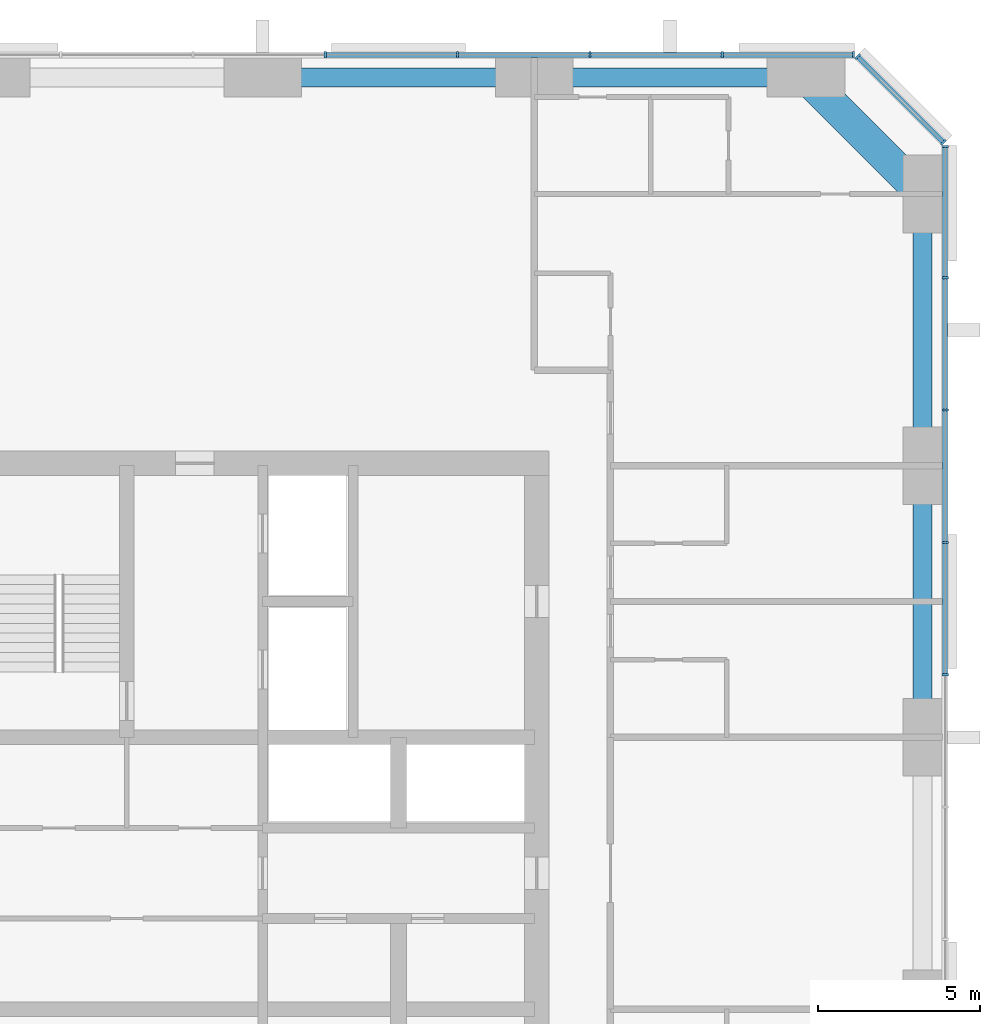
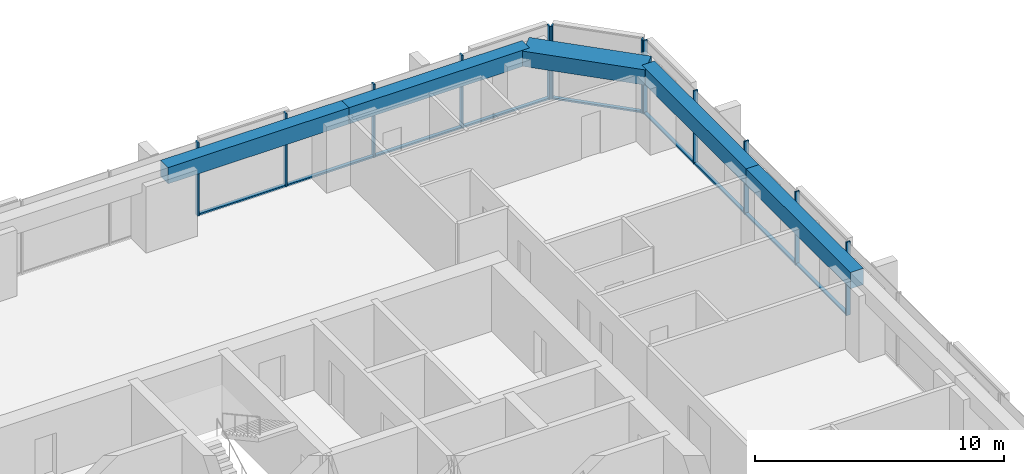
# One storey, part 6 of 13: 21 members, 5 beams, 3 elements without a shape of their own.
"""IFC4 building model written with IfcOpenShell, lengths in metres."""

from ifc_helpers import new_model, si_unit, direction, frame, origin, origin_2d, place, context, subcontext, project, spatial, rectangle, extrude, material, material_profile, profile_set, type_object, element, aggregate, save


model = new_model("IFC4")

# Units and contexts
model_context = context("Model", 3, precision=1e-05, world=origin(), true_north=direction((0.0, 1.0)))
body_context = subcontext(model_context, "Body", "Model", "MODEL_VIEW")
ifc_project = project(units=[si_unit("LENGTHUNIT", "METRE"), si_unit("AREAUNIT", "SQUARE_METRE"), si_unit("VOLUMEUNIT", "CUBIC_METRE"), si_unit("PLANEANGLEUNIT", "RADIAN"), si_unit("MASSUNIT", "GRAM", prefix="KILO")], contexts=[model_context])

# Site, building, storey
site_placement = place(None, origin())
site = spatial("IfcSite", under=ifc_project, at=site_placement, CompositionType="ELEMENT")
building_placement = place(site_placement, origin())
building = spatial("IfcBuilding", under=site, at=building_placement, Name="Dunama Terrace Hotel", CompositionType="ELEMENT")
storey_placement = place(building_placement, frame((0.0, 0.0, 169.800048828125)))
storey = spatial("IfcBuildingStorey", under=building, at=storey_placement, Name="L43", CompositionType="ELEMENT", Elevation=169.800048828125)

# Curtain wall, members
ifc_material_1 = material(Name="Aluminium curtain wall system", Category="aluminium")
curtain_wall_type = type_object("IfcCurtainWallType", Name="Unitised fritted glass wall CW-C", PredefinedType="NOTDEFINED", material=ifc_material_1)
curtain_wall_1_placement = place(storey_placement, origin())
curtain_wall_1 = element("IfcCurtainWall", 1, at=curtain_wall_1_placement, inside=storey, type_object=curtain_wall_type, Name="Unitised fritted glass wall CW-C L43", PredefinedType="NOTDEFINED")
ifc_material_2 = material(Name="Aluminium mullion", Category="aluminium")
ifc_material_profile_1 = material_profile(ifc_material_2, rectangle(XDim=0.070068359375, YDim=0.199951171875, at=origin_2d()), Name="CWC MULLION 70X200")
ifc_profile_set_1 = profile_set([ifc_material_profile_1], Name="Aluminium mullion")
member_type_1 = type_object("IfcMemberType", Name="CWC mullion 70x200", PredefinedType="MULLION", material=ifc_profile_set_1)
member_1_placement = place(storey_placement, frame((54.699951171875, 35.535888671875, 0.0), z_axis=(0.0, 0.0, 1.0), x_axis=(0.0, 1.0, 0.0)))
member_1 = element("IfcMember", 2, at=member_1_placement, type_object=member_type_1, Name="CWC mullion", PredefinedType="MULLION", context=body_context, shape_type="SweptSolid", body=[
    extrude(rectangle(XDim=0.070068359375, YDim=0.199951171875, at=origin_2d()), origin(), (0.0, 0.0, 1.0), 3.599853515625),
])
member_2_placement = place(storey_placement, frame((54.699951171875, 39.626953125, 0.0), z_axis=(0.0, 0.0, 1.0), x_axis=(0.0, 1.0, 0.0)))
member_2 = element("IfcMember", 3, at=member_2_placement, type_object=member_type_1, Name="CWC mullion", PredefinedType="MULLION", context=body_context, shape_type="SweptSolid", body=[
    extrude(rectangle(XDim=0.070068359375, YDim=0.199951171875, at=origin_2d()), origin(), (0.0, 0.0, 1.0), 3.599853515625),
])
member_3_placement = place(storey_placement, frame((54.699951171875, 43.718017578125, 0.0), z_axis=(0.0, 0.0, 1.0), x_axis=(0.0, 1.0, 0.0)))
member_3 = element("IfcMember", 4, at=member_3_placement, type_object=member_type_1, Name="CWC mullion", PredefinedType="MULLION", context=body_context, shape_type="SweptSolid", body=[
    extrude(rectangle(XDim=0.070068359375, YDim=0.199951171875, at=origin_2d()), origin(), (0.0, 0.0, 1.0), 3.599853515625),
])
member_4_placement = place(storey_placement, frame((54.699951171875, 47.80908203125, 0.0), z_axis=(0.0, 0.0, 1.0), x_axis=(0.0, 1.0, 0.0)))
member_4 = element("IfcMember", 5, at=member_4_placement, type_object=member_type_1, Name="CWC mullion", PredefinedType="MULLION", context=body_context, shape_type="SweptSolid", body=[
    extrude(rectangle(XDim=0.070068359375, YDim=0.199951171875, at=origin_2d()), origin(), (0.0, 0.0, 1.0), 3.599853515625),
])
member_5_placement = place(storey_placement, frame((54.699951171875, 51.864990234375, 0.0), z_axis=(0.0, 0.0, 1.0), x_axis=(0.0, 1.0, 0.0)))
member_5 = element("IfcMember", 6, at=member_5_placement, type_object=member_type_1, Name="CWC mullion", PredefinedType="MULLION", context=body_context, shape_type="SweptSolid", body=[
    extrude(rectangle(XDim=0.070068359375, YDim=0.199951171875, at=origin_2d()), origin(), (0.0, 0.0, 1.0), 3.599853515625),
])

curtain_wall_2_placement = place(storey_placement, origin())
curtain_wall_2 = element("IfcCurtainWall", 7, at=curtain_wall_2_placement, inside=storey, type_object=curtain_wall_type, Name="Unitised fritted glass wall CW-C L43", PredefinedType="NOTDEFINED")
member_6_placement = place(storey_placement, frame((54.64599609375, 51.9951171875, 0.0), z_axis=(0.0, 0.0, 1.0), x_axis=(-0.707106781187, 0.707106781187, 0.0)))
member_6 = element("IfcMember", 8, at=member_6_placement, type_object=member_type_1, Name="CWC mullion", PredefinedType="MULLION", context=body_context, shape_type="SweptSolid", body=[
    extrude(rectangle(XDim=0.070068359375, YDim=0.199951171875, at=origin_2d()), origin(), (0.0, 0.0, 1.0), 3.599853515625),
])
member_7_placement = place(storey_placement, frame((51.9951171875, 54.64599609375, 0.0), z_axis=(0.0, 0.0, 1.0), x_axis=(-0.707106781187, 0.707106781187, 0.0)))
member_7 = element("IfcMember", 9, at=member_7_placement, type_object=member_type_1, Name="CWC mullion", PredefinedType="MULLION", context=body_context, shape_type="SweptSolid", body=[
    extrude(rectangle(XDim=0.070068359375, YDim=0.199951171875, at=origin_2d()), origin(), (0.0, 0.0, 1.0), 3.599853515625),
])

curtain_wall_3_placement = place(storey_placement, origin())
curtain_wall_3 = element("IfcCurtainWall", 10, at=curtain_wall_3_placement, inside=storey, type_object=curtain_wall_type, Name="Unitised fritted glass wall CW-C L43", PredefinedType="NOTDEFINED")
member_8_placement = place(storey_placement, frame((51.864990234375, 54.699951171875, 0.0), z_axis=(0.0, 0.0, 1.0), x_axis=(-1.0, 0.0, 0.0)))
member_8 = element("IfcMember", 11, at=member_8_placement, type_object=member_type_1, Name="CWC mullion", PredefinedType="MULLION", context=body_context, shape_type="SweptSolid", body=[
    extrude(rectangle(XDim=0.070068359375, YDim=0.199951171875, at=origin_2d()), origin(), (0.0, 0.0, 1.0), 3.599853515625),
])
member_9_placement = place(storey_placement, frame((47.80908203125, 54.699951171875, 0.0), z_axis=(0.0, 0.0, 1.0), x_axis=(-1.0, 0.0, 0.0)))
member_9 = element("IfcMember", 12, at=member_9_placement, type_object=member_type_1, Name="CWC mullion", PredefinedType="MULLION", context=body_context, shape_type="SweptSolid", body=[
    extrude(rectangle(XDim=0.070068359375, YDim=0.199951171875, at=origin_2d()), origin(), (0.0, 0.0, 1.0), 3.599853515625),
])
member_10_placement = place(storey_placement, frame((43.718017578125, 54.699951171875, 0.0), z_axis=(0.0, 0.0, 1.0), x_axis=(-1.0, 0.0, 0.0)))
member_10 = element("IfcMember", 13, at=member_10_placement, type_object=member_type_1, Name="CWC mullion", PredefinedType="MULLION", context=body_context, shape_type="SweptSolid", body=[
    extrude(rectangle(XDim=0.070068359375, YDim=0.199951171875, at=origin_2d()), origin(), (0.0, 0.0, 1.0), 3.599853515625),
])
member_11_placement = place(storey_placement, frame((39.626953125, 54.699951171875, 0.0), z_axis=(0.0, 0.0, 1.0), x_axis=(-1.0, 0.0, 0.0)))
member_11 = element("IfcMember", 14, at=member_11_placement, type_object=member_type_1, Name="CWC mullion", PredefinedType="MULLION", context=body_context, shape_type="SweptSolid", body=[
    extrude(rectangle(XDim=0.070068359375, YDim=0.199951171875, at=origin_2d()), origin(), (0.0, 0.0, 1.0), 3.599853515625),
])
member_12_placement = place(storey_placement, frame((35.535888671875, 54.699951171875, 0.0), z_axis=(0.0, 0.0, 1.0), x_axis=(-1.0, 0.0, 0.0)))
member_12 = element("IfcMember", 15, at=member_12_placement, type_object=member_type_1, Name="CWC mullion", PredefinedType="MULLION", context=body_context, shape_type="SweptSolid", body=[
    extrude(rectangle(XDim=0.070068359375, YDim=0.199951171875, at=origin_2d()), origin(), (0.0, 0.0, 1.0), 3.599853515625),
])

# Member
ifc_material_3 = material(Name="Aluminium transom", Category="aluminium")
ifc_material_profile_2 = material_profile(ifc_material_3, rectangle(XDim=0.159912109375, YDim=0.080078125, at=origin_2d()), Name="CWC TRANSOM 160X80")
ifc_profile_set_2 = profile_set([ifc_material_profile_2], Name="Aluminium transom")
member_type_2 = type_object("IfcMemberType", Name="CWC transom 160x80", PredefinedType="USERDEFINED", material=ifc_profile_set_2)
member_13_placement = place(storey_placement, frame((54.699951171875, 35.571044921875, 0.0400390625), z_axis=(0.0, 1.0, 0.0), x_axis=(-1.0, 0.0, 0.0)))
member_13 = element("IfcMember", 16, at=member_13_placement, type_object=member_type_2, Name="CWC transom", ObjectType="TRANSOM", PredefinedType="USERDEFINED", context=body_context, shape_type="SweptSolid", body=[
    extrude(rectangle(XDim=0.159912109375, YDim=0.080078125, at=origin_2d()), origin(), (0.0, 0.0, 1.0), 4.02099609375),
])

member_14_placement = place(storey_placement, frame((54.699951171875, 39.662109375, 0.0400390625), z_axis=(0.0, 1.0, 0.0), x_axis=(-1.0, 0.0, 0.0)))
member_14 = element("IfcMember", 17, at=member_14_placement, type_object=member_type_2, Name="CWC transom", ObjectType="TRANSOM", PredefinedType="USERDEFINED", context=body_context, shape_type="SweptSolid", body=[
    extrude(rectangle(XDim=0.159912109375, YDim=0.080078125, at=origin_2d()), origin(), (0.0, 0.0, 1.0), 4.02099609375),
])

member_15_placement = place(storey_placement, frame((54.699951171875, 43.7529296875, 0.0400390625), z_axis=(0.0, 1.0, 0.0), x_axis=(-1.0, 0.0, 0.0)))
member_15 = element("IfcMember", 18, at=member_15_placement, type_object=member_type_2, Name="CWC transom", ObjectType="TRANSOM", PredefinedType="USERDEFINED", context=body_context, shape_type="SweptSolid", body=[
    extrude(rectangle(XDim=0.159912109375, YDim=0.080078125, at=origin_2d()), origin(), (0.0, 0.0, 1.0), 4.02099609375),
])

member_16_placement = place(storey_placement, frame((54.699951171875, 47.843994140625, 0.0400390625), z_axis=(0.0, 1.0, 0.0), x_axis=(-1.0, 0.0, 0.0)))
member_16 = element("IfcMember", 19, at=member_16_placement, type_object=member_type_2, Name="CWC transom", ObjectType="TRANSOM", PredefinedType="USERDEFINED", context=body_context, shape_type="SweptSolid", body=[
    extrude(rectangle(XDim=0.159912109375, YDim=0.080078125, at=origin_2d()), origin(), (0.0, 0.0, 1.0), 3.986083984375),
])

aggregate(curtain_wall_1, [member_1, member_2, member_3, member_4, member_5, member_13, member_14, member_15, member_16])

member_17_placement = place(storey_placement, frame((54.62109375, 52.02001953125, 0.0400390625), z_axis=(-0.707106781187, 0.707106781187, 0.0), x_axis=(-0.707106781187, -0.707106781187, 0.0)))
member_17 = element("IfcMember", 20, at=member_17_placement, type_object=member_type_2, Name="CWC transom", ObjectType="TRANSOM", PredefinedType="USERDEFINED", context=body_context, shape_type="SweptSolid", body=[
    extrude(rectangle(XDim=0.159912109375, YDim=0.080078125, at=origin_2d()), origin(), (0.0, 0.0, 1.0), 3.678466796875),
])

aggregate(curtain_wall_2, [member_6, member_7, member_17])

member_18_placement = place(storey_placement, frame((51.830078125, 54.699951171875, 0.0400390625), z_axis=(-1.0, 0.0, 0.0), x_axis=(0.0, -1.0, 0.0)))
member_18 = element("IfcMember", 21, at=member_18_placement, type_object=member_type_2, Name="CWC transom", ObjectType="TRANSOM", PredefinedType="USERDEFINED", context=body_context, shape_type="SweptSolid", body=[
    extrude(rectangle(XDim=0.159912109375, YDim=0.080078125, at=origin_2d()), origin(), (0.0, 0.0, 1.0), 3.986083984375),
])

member_19_placement = place(storey_placement, frame((47.77392578125, 54.699951171875, 0.0400390625), z_axis=(-1.0, 0.0, 0.0), x_axis=(0.0, -1.0, 0.0)))
member_19 = element("IfcMember", 22, at=member_19_placement, type_object=member_type_2, Name="CWC transom", ObjectType="TRANSOM", PredefinedType="USERDEFINED", context=body_context, shape_type="SweptSolid", body=[
    extrude(rectangle(XDim=0.159912109375, YDim=0.080078125, at=origin_2d()), origin(), (0.0, 0.0, 1.0), 4.02099609375),
])

member_20_placement = place(storey_placement, frame((43.68310546875, 54.699951171875, 0.0400390625), z_axis=(-1.0, 0.0, 0.0), x_axis=(0.0, -1.0, 0.0)))
member_20 = element("IfcMember", 23, at=member_20_placement, type_object=member_type_2, Name="CWC transom", ObjectType="TRANSOM", PredefinedType="USERDEFINED", context=body_context, shape_type="SweptSolid", body=[
    extrude(rectangle(XDim=0.159912109375, YDim=0.080078125, at=origin_2d()), origin(), (0.0, 0.0, 1.0), 4.02099609375),
])

member_21_placement = place(storey_placement, frame((39.592041015625, 54.699951171875, 0.0400390625), z_axis=(-1.0, 0.0, 0.0), x_axis=(0.0, -1.0, 0.0)))
member_21 = element("IfcMember", 24, at=member_21_placement, type_object=member_type_2, Name="CWC transom", ObjectType="TRANSOM", PredefinedType="USERDEFINED", context=body_context, shape_type="SweptSolid", body=[
    extrude(rectangle(XDim=0.159912109375, YDim=0.080078125, at=origin_2d()), origin(), (0.0, 0.0, 1.0), 4.02099609375),
])

aggregate(curtain_wall_3, [member_8, member_9, member_10, member_11, member_12, member_18, member_19, member_20, member_21])

# Beams
ifc_material_4 = material(Name="Concrete C50/60", Category="concrete")
ifc_material_profile_3 = material_profile(ifc_material_4, rectangle(XDim=1.0, YDim=0.75, at=origin_2d()), Name="RC 1000x750")
ifc_profile_set_3 = profile_set([ifc_material_profile_3], Name="Concrete C50/60")
beam_type_1 = type_object("IfcBeamType", Name="Edge beam RC 1000x750", PredefinedType="SPANDREL", material=ifc_profile_set_3)
beam_placement = place(storey_placement, frame((50.39990234375, 54.0, 3.224853515625), z_axis=(0.707106781187, -0.707106781187, 0.0), x_axis=(0.707106781187, 0.707106781187, 0.0)))
element("IfcBeam", 25, at=beam_placement, inside=storey, type_object=beam_type_1, Name="Corner edge beam under L44", PredefinedType="SPANDREL", context=body_context, shape_type="SweptSolid", body=[
    extrude(rectangle(XDim=1.0, YDim=0.75, at=origin_2d()), origin(), (0.0, 0.0, 1.0), 5.09130859375),
])
ifc_material_5 = material(Name="Concrete C40/50", Category="concrete")
ifc_material_profile_4 = material_profile(ifc_material_5, rectangle(XDim=0.60009765625, YDim=0.800048828125, at=origin_2d()), Name="RC 600x800")
ifc_profile_set_4 = profile_set([ifc_material_profile_4], Name="Concrete C40/50")
beam_type_2 = type_object("IfcBeamType", Name="Edge beam RC 600x800", PredefinedType="SPANDREL", material=ifc_profile_set_4)
for number, where, z_axis, x_axis, name in (
    (26, (54.0, 33.60009765625, 3.199951171875), (0.0, 1.0, 0.0), (-1.0, 0.0, 0.0), "Edge beam under L44"),
    (27, (54.0, 42.0, 3.199951171875), (0.0, 1.0, 0.0), (-1.0, 0.0, 0.0), "Edge beam under L44"),
    (28, (33.60009765625, 54.0, 3.199951171875), (1.0, 0.0, 0.0), (0.0, 1.0, 0.0), "Edge beam under L44"),
    (29, (42.0, 54.0, 3.199951171875), (1.0, 0.0, 0.0), (0.0, 1.0, 0.0), "Edge beam under L44"),
):
    element("IfcBeam", number, at=place(storey_placement, frame(where, z_axis=z_axis, x_axis=x_axis)), inside=storey, type_object=beam_type_2, Name=name, PredefinedType="SPANDREL", context=body_context, shape_type="SweptSolid", body=[
        extrude(rectangle(XDim=0.60009765625, YDim=0.800048828125, at=origin_2d()), origin(), (0.0, 0.0, 1.0), 8.39990234375),
    ])

save(model, "model.ifc")
